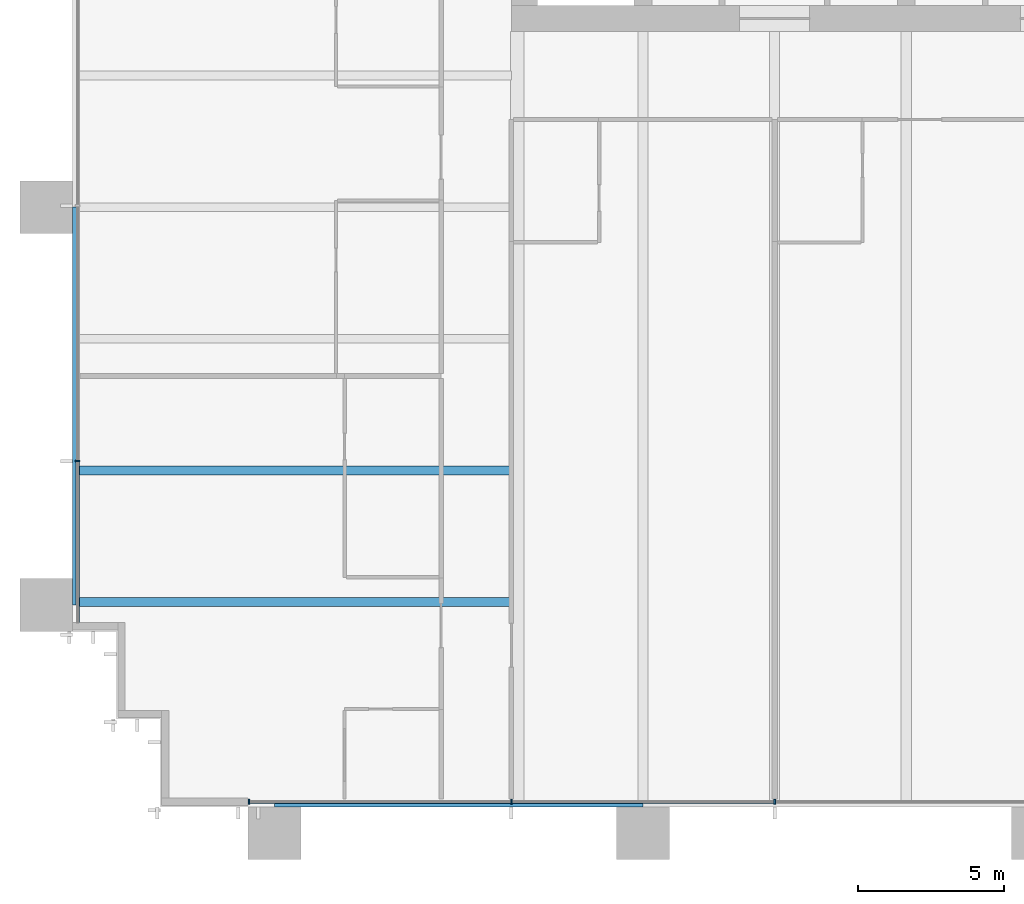
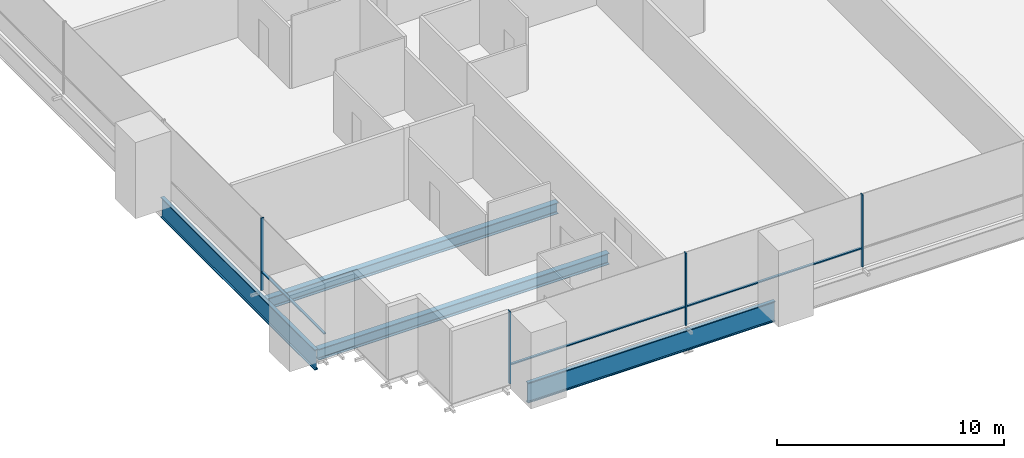
# One storey, part 2 of 17: 7 members, 4 beams, 2 elements without a shape of their own.
"""IFC4 building model written with IfcOpenShell, lengths in metres."""

from ifc_helpers import new_model, si_unit, direction, frame, origin, origin_2d, place, context, subcontext, project, spatial, rectangle, i_section, extrude, material, material_profile, profile_set, type_object, element, aggregate, save


model = new_model("IFC4")

# Units and contexts
model_context = context("Model", 3, precision=1e-05, world=origin(), true_north=direction((0.0, 1.0)))
body_context = subcontext(model_context, "Body", "Model", "MODEL_VIEW")
ifc_project = project(units=[si_unit("LENGTHUNIT", "METRE"), si_unit("AREAUNIT", "SQUARE_METRE"), si_unit("VOLUMEUNIT", "CUBIC_METRE"), si_unit("PLANEANGLEUNIT", "RADIAN"), si_unit("MASSUNIT", "GRAM", prefix="KILO")], contexts=[model_context])

# Site, building, storey
site_placement = place(None, origin())
site = spatial("IfcSite", under=ifc_project, at=site_placement, CompositionType="ELEMENT")
building_placement = place(site_placement, origin())
building = spatial("IfcBuilding", under=site, at=building_placement, Name="Rattan Terrace Tower", CompositionType="ELEMENT")
storey_placement = place(building_placement, frame((0.0, 0.0, 61.10009765625)))
storey = spatial("IfcBuildingStorey", under=building, at=storey_placement, Name="L13", CompositionType="ELEMENT", Elevation=61.10009765625)

# Curtain wall, member
ifc_material_1 = material(Name="Aluminium and glass", Category="aluminium")
curtain_wall_type = type_object("IfcCurtainWallType", Name="Facade Unitised Curtain Wall", PredefinedType="NOTDEFINED", material=ifc_material_1)
curtain_wall_1_placement = place(storey_placement, origin())
curtain_wall_1 = element("IfcCurtainWall", 1, at=curtain_wall_1_placement, inside=storey, type_object=curtain_wall_type, Name="Curtain wall L13-3", PredefinedType="NOTDEFINED")
ifc_material_2 = material(Name="Aluminium", Category="aluminium")
ifc_material_profile_1 = material_profile(ifc_material_2, rectangle(XDim=0.06005859375, YDim=0.159912109375, at=origin_2d()), Name="Aluminium 60x160")
ifc_profile_set_1 = profile_set([ifc_material_profile_1], Name="Aluminium")
member_type_1 = type_object("IfcMemberType", Name="Facade CW Mullion 60x160", PredefinedType="MULLION", material=ifc_profile_set_1)
member_1_placement = place(storey_placement, frame((-32.830078125, -22.180908203125, 0.0), z_axis=(0.0, 0.0, 1.0), x_axis=(0.0, -1.0, 0.0)))
member_1 = element("IfcMember", 2, at=member_1_placement, type_object=member_type_1, Name="Mullion cwl-L13-003.4", PredefinedType="MULLION", context=body_context, shape_type="SweptSolid", body=[
    extrude(rectangle(XDim=0.06005859375, YDim=0.159912109375, at=origin_2d()), origin(), (0.0, 0.0, 1.0), 3.89990234375),
])

# Curtain wall, members
curtain_wall_2_placement = place(storey_placement, origin())
curtain_wall_2 = element("IfcCurtainWall", 3, at=curtain_wall_2_placement, inside=storey, type_object=curtain_wall_type, Name="Curtain wall L13-4", PredefinedType="NOTDEFINED")
member_2_placement = place(storey_placement, frame((-26.969970703125, -33.830078125, 0.0), z_axis=(0.0, 0.0, 1.0), x_axis=(1.0, 0.0, 0.0)))
member_2 = element("IfcMember", 4, at=member_2_placement, type_object=member_type_1, Name="Mullion cwl-L13-004.1", PredefinedType="MULLION", context=body_context, shape_type="SweptSolid", body=[
    extrude(rectangle(XDim=0.06005859375, YDim=0.159912109375, at=origin_2d()), origin(), (0.0, 0.0, 1.0), 3.89990234375),
])
member_3_placement = place(storey_placement, frame((-18.0, -33.830078125, 0.0), z_axis=(0.0, 0.0, 1.0), x_axis=(1.0, 0.0, 0.0)))
member_3 = element("IfcMember", 5, at=member_3_placement, type_object=member_type_1, Name="Mullion cwl-L13-004.2", PredefinedType="MULLION", context=body_context, shape_type="SweptSolid", body=[
    extrude(rectangle(XDim=0.06005859375, YDim=0.159912109375, at=origin_2d()), origin(), (0.0, 0.0, 1.0), 3.89990234375),
])
member_4_placement = place(storey_placement, frame((-9.0, -33.830078125, 0.0), z_axis=(0.0, 0.0, 1.0), x_axis=(1.0, 0.0, 0.0)))
member_4 = element("IfcMember", 6, at=member_4_placement, type_object=member_type_1, Name="Mullion cwl-L13-004.3", PredefinedType="MULLION", context=body_context, shape_type="SweptSolid", body=[
    extrude(rectangle(XDim=0.06005859375, YDim=0.159912109375, at=origin_2d()), origin(), (0.0, 0.0, 1.0), 3.89990234375),
])

# Member
ifc_material_3 = material(Name="Aluminium", Category="aluminium")
ifc_material_profile_2 = material_profile(ifc_material_3, rectangle(XDim=0.1201171875, YDim=0.06005859375, at=origin_2d()), Name="Aluminium 120x60")
ifc_profile_set_2 = profile_set([ifc_material_profile_2], Name="Aluminium")
member_type_2 = type_object("IfcMemberType", Name="Facade CW Transom 120x60", PredefinedType="USERDEFINED", material=ifc_profile_set_2)
member_5_placement = place(storey_placement, frame((-32.830078125, -22.2109375, 1.0), z_axis=(0.0, -1.0, 0.0), x_axis=(1.0, 0.0, 0.0)))
member_5 = element("IfcMember", 7, at=member_5_placement, type_object=member_type_2, Name="Transom cwl-L13-003.4", ObjectType="TRANSOM", PredefinedType="USERDEFINED", context=body_context, shape_type="SweptSolid", body=[
    extrude(rectangle(XDim=0.1201171875, YDim=0.06005859375, at=origin_2d()), origin(), (0.0, 0.0, 1.0), 5.494140625),
])

aggregate(curtain_wall_1, [member_1, member_5])

member_6_placement = place(storey_placement, frame((-26.93994140625, -33.830078125, 1.0), z_axis=(1.0, 0.0, 0.0), x_axis=(0.0, 1.0, 0.0)))
member_6 = element("IfcMember", 8, at=member_6_placement, type_object=member_type_2, Name="Transom cwl-L13-004.1", ObjectType="TRANSOM", PredefinedType="USERDEFINED", context=body_context, shape_type="SweptSolid", body=[
    extrude(rectangle(XDim=0.1201171875, YDim=0.06005859375, at=origin_2d()), origin(), (0.0, 0.0, 1.0), 8.909912109375),
])

member_7_placement = place(storey_placement, frame((-17.969970703125, -33.830078125, 1.0), z_axis=(1.0, 0.0, 0.0), x_axis=(0.0, 1.0, 0.0)))
member_7 = element("IfcMember", 9, at=member_7_placement, type_object=member_type_2, Name="Transom cwl-L13-004.2", ObjectType="TRANSOM", PredefinedType="USERDEFINED", context=body_context, shape_type="SweptSolid", body=[
    extrude(rectangle(XDim=0.1201171875, YDim=0.06005859375, at=origin_2d()), origin(), (0.0, 0.0, 1.0), 8.93994140625),
])

aggregate(curtain_wall_2, [member_2, member_3, member_4, member_6, member_7])

# Beams
ifc_material_4 = material(Name="Steel S460", Category="steel")
ifc_material_profile_3 = material_profile(ifc_material_4, i_section(OverallWidth=0.179931640625, OverallDepth=1.10009765625, WebThickness=0.01611328125, FlangeThickness=0.050048828125, at=origin_2d()), Name="PG 1100x180-16-50")
ifc_profile_set_3 = profile_set([ifc_material_profile_3], Name="Steel S460")
beam_type_1 = type_object("IfcBeamType", Name="Frame edge girder PG 1100x180-16-50", PredefinedType="SPANDREL", material=ifc_profile_set_3)
beam_1_placement = place(storey_placement, frame((-26.10009765625, -33.909912109375, -0.75), z_axis=(1.0, 0.0, 0.0), x_axis=(0.0, 1.0, 0.0)))
element("IfcBeam", 10, at=beam_1_placement, inside=storey, type_object=beam_type_1, Name="gdr-L13-001", PredefinedType="SPANDREL", context=body_context, shape_type="SweptSolid", body=[
    extrude(i_section(OverallWidth=0.179931640625, OverallDepth=1.10009765625, WebThickness=0.01611328125, FlangeThickness=0.050048828125, at=origin_2d()), origin(), (0.0, 0.0, 1.0), 12.60009765625),
])
beam_2_placement = place(storey_placement, frame((-32.909912109375, -13.5, -0.75), z_axis=(0.0, -1.0, 0.0), x_axis=(1.0, 0.0, 0.0)))
element("IfcBeam", 11, at=beam_2_placement, inside=storey, type_object=beam_type_1, Name="gdr-L13-006", PredefinedType="SPANDREL", context=body_context, shape_type="SweptSolid", body=[
    extrude(i_section(OverallWidth=0.179931640625, OverallDepth=1.10009765625, WebThickness=0.01611328125, FlangeThickness=0.050048828125, at=origin_2d()), origin(), (0.0, 0.0, 1.0), 13.60009765625),
])
ifc_material_5 = material(Name="Steel S355", Category="steel")
ifc_material_profile_4 = material_profile(ifc_material_5, i_section(OverallWidth=0.300048828125, OverallDepth=0.60009765625, WebThickness=0.015380859375, FlangeThickness=0.030029296875, FilletRadius=0.027099609375, at=origin_2d()), Name="HE 600 B")
ifc_profile_set_4 = profile_set([ifc_material_profile_4], Name="Steel S355")
beam_type_2 = type_object("IfcBeamType", Name="Frame floor beam HE 600 B", PredefinedType="JOIST", material=ifc_profile_set_4)
for number, where, z_axis, x_axis, name in (
    (12, (-32.820068359375, -27.0, -0.5), (1.0, 0.0, 0.0), (0.0, 1.0, 0.0), "bm-L13-010"),
    (13, (-32.820068359375, -22.5, -0.5), (1.0, 0.0, 0.0), (0.0, 1.0, 0.0), "bm-L13-012"),
):
    element("IfcBeam", number, at=place(storey_placement, frame(where, z_axis=z_axis, x_axis=x_axis)), inside=storey, type_object=beam_type_2, Name=name, PredefinedType="JOIST", context=body_context, shape_type="SweptSolid", body=[
        extrude(i_section(OverallWidth=0.300048828125, OverallDepth=0.60009765625, WebThickness=0.015380859375, FlangeThickness=0.030029296875, FilletRadius=0.027099609375, at=origin_2d()), origin(), (0.0, 0.0, 1.0), 14.820068359375),
    ])

save(model, "model.ifc")
